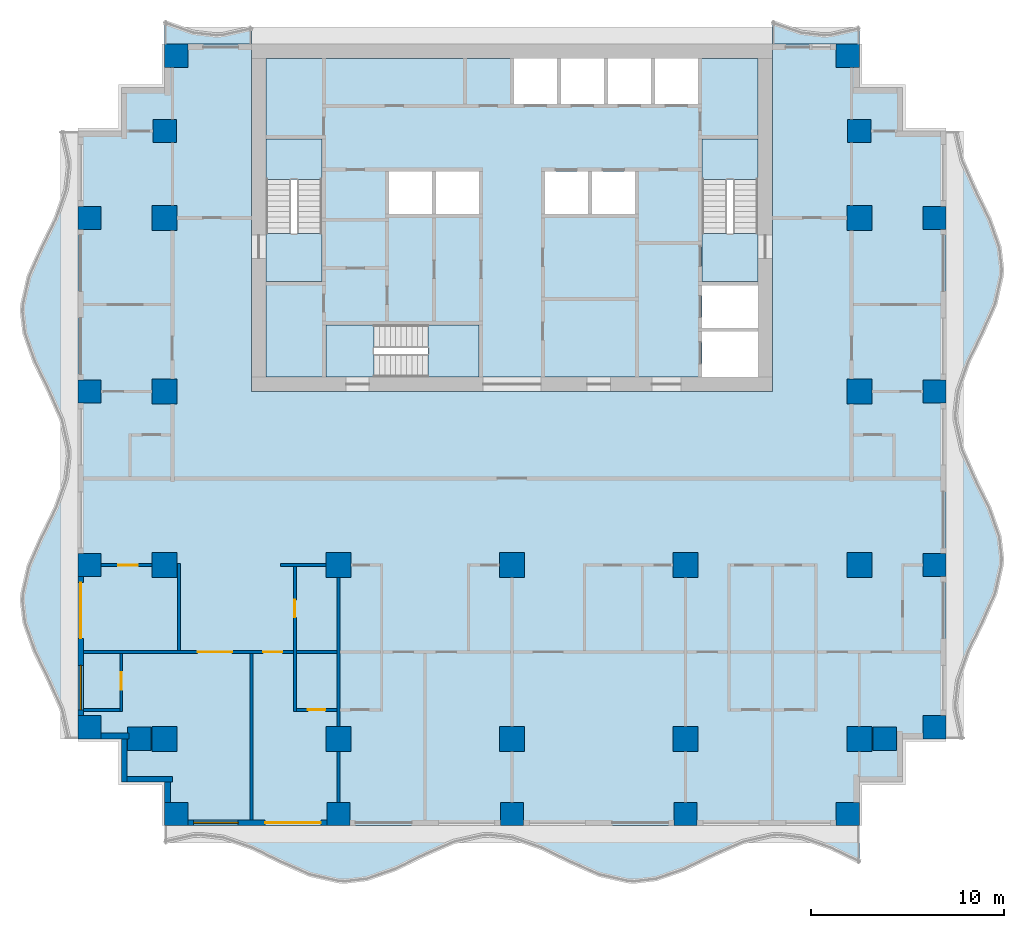
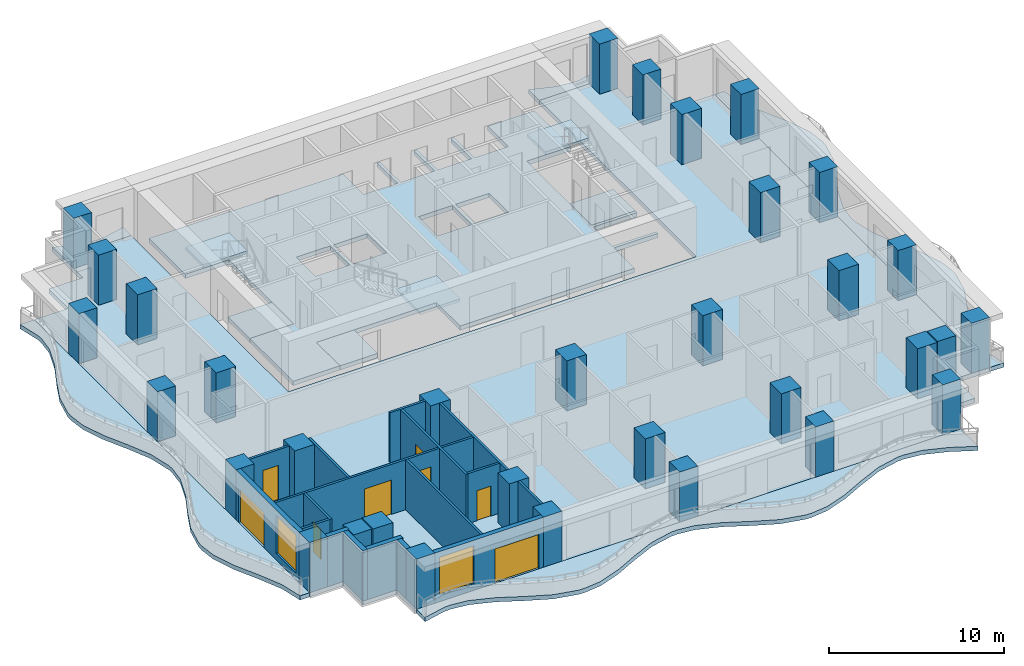
# One storey, part 1 of 10: 33 columns, 18 walls, 13 slabs, 8 doors, 2 windows, 10 openings, 3 elements without a shape of their own.
"""IFC4 building model written with IfcOpenShell, lengths in metres."""

from ifc_helpers import new_model, si_unit, direction, frame, frame_2d, origin, origin_2d, place, context, subcontext, project, spatial, polyline, rectangle, outline, extrude, material, layer, layer_set, material_profile, profile_set, type_object, element, fill, aggregate, save


model = new_model("IFC4")

# Units and contexts
model_context = context("Model", 3, precision=1e-05, world=origin(), true_north=direction((0.0, 1.0)))
body_context = subcontext(model_context, "Body", "Model", "MODEL_VIEW")
ifc_project = project(units=[si_unit("LENGTHUNIT", "METRE"), si_unit("AREAUNIT", "SQUARE_METRE"), si_unit("VOLUMEUNIT", "CUBIC_METRE"), si_unit("PLANEANGLEUNIT", "RADIAN"), si_unit("MASSUNIT", "GRAM", prefix="KILO")], contexts=[model_context])

# Site, building, storey
site_placement = place(None, origin())
site = spatial("IfcSite", under=ifc_project, at=site_placement, CompositionType="ELEMENT")
building_placement = place(site_placement, origin())
building = spatial("IfcBuilding", under=site, at=building_placement, Name="Orbiselva Terraces", CompositionType="ELEMENT")
storey_placement = place(building_placement, frame((0.0, 0.0, 132.6)))
storey = spatial("IfcBuildingStorey", under=building, at=storey_placement, Name="L33", CompositionType="ELEMENT", Elevation=132.6)

# Columns
ifc_material_1 = material(Name="Concrete C70/85", Category="concrete")
ifc_material_profile_1 = material_profile(ifc_material_1, rectangle(XDim=1.3, YDim=1.3, at=origin_2d()), Name="RC 1300x1300")
ifc_profile_set_1 = profile_set([ifc_material_profile_1], Name="Concrete C70/85")
column_type_1 = type_object("IfcColumnType", Name="COLUMN RC 1300x1300", PredefinedType="COLUMN", material=ifc_profile_set_1)
for number, where, z_axis, x_axis, name in (
    (1, (-18.0, -13.5, 0.0), (0.0, 0.0, 1.0), (1.0, 0.0, 0.0), "Column L33-01"),
    (2, (-18.0, -4.5, 0.0), (0.0, 0.0, 1.0), (1.0, 0.0, 0.0), "Column L33-03"),
    (3, (-18.0, 13.5, 0.0), (0.0, 0.0, 1.0), (1.0, 0.0, 0.0), "Column L33-04"),
    (4, (-18.0, 4.5, 0.0), (0.0, 0.0, 1.0), (1.0, 0.0, 0.0), "Column L33-06"),
    (5, (-9.0, -13.5, 0.0), (0.0, 0.0, 1.0), (1.0, 0.0, 0.0), "Column L33-13"),
    (6, (-9.0, -4.5, 0.0), (0.0, 0.0, 1.0), (1.0, 0.0, 0.0), "Column L33-15"),
    (7, (0.0, -13.5, 0.0), (0.0, 0.0, 1.0), (1.0, 0.0, 0.0), "Column L33-16"),
    (8, (0.0, -4.5, 0.0), (0.0, 0.0, 1.0), (1.0, 0.0, 0.0), "Column L33-18"),
    (9, (18.0, -13.5, 0.0), (0.0, 0.0, 1.0), (1.0, 0.0, 0.0), "Column L33-19"),
    (10, (18.0, -4.5, 0.0), (0.0, 0.0, 1.0), (1.0, 0.0, 0.0), "Column L33-21"),
    (11, (18.0, 13.5, 0.0), (0.0, 0.0, 1.0), (1.0, 0.0, 0.0), "Column L33-22"),
    (12, (18.0, 4.5, 0.0), (0.0, 0.0, 1.0), (1.0, 0.0, 0.0), "Column L33-24"),
    (13, (9.0, -13.5, 0.0), (0.0, 0.0, 1.0), (1.0, 0.0, 0.0), "Column L33-31"),
    (14, (9.0, -4.5, 0.0), (0.0, 0.0, 1.0), (1.0, 0.0, 0.0), "Column L33-33"),
):
    element("IfcColumn", number, at=place(storey_placement, frame(where, z_axis=z_axis, x_axis=x_axis)), inside=storey, type_object=column_type_1, Name=name, PredefinedType="COLUMN", context=body_context, shape_type="SweptSolid", body=[
        extrude(rectangle(XDim=1.3, YDim=1.3, at=origin_2d()), origin(), (0.0, 0.0, 1.0), 3.5),
    ])
ifc_material_2 = material(Name="Concrete C60/75", Category="concrete")
ifc_material_profile_2 = material_profile(ifc_material_2, rectangle(XDim=1.2, YDim=1.2, at=origin_2d()), Name="RC 1200x1200")
ifc_profile_set_2 = profile_set([ifc_material_profile_2], Name="Concrete C60/75")
column_type_2 = type_object("IfcColumnType", Name="PERIMETER COLUMN RC 1200x1200", PredefinedType="COLUMN", material=ifc_profile_set_2)
for number, where, z_axis, x_axis, name in (
    (15, (-17.4, -17.4, 0.0), (0.0, 0.0, 1.0), (1.0, 0.0, 0.0), "Column L33-02"),
    (16, (-17.4, 21.9, 0.0), (0.0, 0.0, 1.0), (1.0, 0.0, 0.0), "Column L33-05"),
    (17, (-21.9, -12.9, 0.0), (0.0, 0.0, 1.0), (1.0, 0.0, 0.0), "Column L33-07"),
    (18, (-19.32, -13.5, 0.0), (0.0, 0.0, 1.0), (1.0, 0.0, 0.0), "Column L33-08"),
    (19, (-21.9, -4.5, 0.0), (0.0, 0.0, 1.0), (1.0, 0.0, 0.0), "Column L33-09"),
    (20, (-21.9, 13.5, 0.0), (0.0, 0.0, 1.0), (1.0, 0.0, 0.0), "Column L33-10"),
    (21, (-18.0, 18.0, 0.0), (0.0, 0.0, 1.0), (1.0, 0.0, 0.0), "Column L33-11"),
    (22, (-21.9, 4.5, 0.0), (0.0, 0.0, 1.0), (1.0, 0.0, 0.0), "Column L33-12"),
    (23, (-9.0, -17.4, 0.0), (0.0, 0.0, 1.0), (1.0, 0.0, 0.0), "Column L33-14"),
    (24, (0.0, -17.4, 0.0), (0.0, 0.0, 1.0), (1.0, 0.0, 0.0), "Column L33-17"),
    (25, (17.4, -17.4, 0.0), (0.0, 0.0, 1.0), (1.0, 0.0, 0.0), "Column L33-20"),
    (26, (17.4, 21.9, 0.0), (0.0, 0.0, 1.0), (1.0, 0.0, 0.0), "Column L33-23"),
    (27, (21.9, -12.9, 0.0), (0.0, 0.0, 1.0), (1.0, 0.0, 0.0), "Column L33-25"),
    (28, (19.32, -13.5, 0.0), (0.0, 0.0, 1.0), (1.0, 0.0, 0.0), "Column L33-26"),
    (29, (21.9, -4.5, 0.0), (0.0, 0.0, 1.0), (1.0, 0.0, 0.0), "Column L33-27"),
    (30, (21.9, 13.5, 0.0), (0.0, 0.0, 1.0), (1.0, 0.0, 0.0), "Column L33-28"),
    (31, (18.0, 18.0, 0.0), (0.0, 0.0, 1.0), (1.0, 0.0, 0.0), "Column L33-29"),
    (32, (21.9, 4.5, 0.0), (0.0, 0.0, 1.0), (1.0, 0.0, 0.0), "Column L33-30"),
    (33, (9.0, -17.4, 0.0), (0.0, 0.0, 1.0), (1.0, 0.0, 0.0), "Column L33-32"),
):
    element("IfcColumn", number, at=place(storey_placement, frame(where, z_axis=z_axis, x_axis=x_axis)), inside=storey, type_object=column_type_2, Name=name, PredefinedType="COLUMN", context=body_context, shape_type="SweptSolid", body=[
        extrude(rectangle(XDim=1.2, YDim=1.2, at=origin_2d()), origin(), (0.0, 0.0, 1.0), 3.5),
    ])

# Slabs
ifc_material_3 = material(Name="Concrete C40/50", Category="concrete")
ifc_layer_1 = layer(ifc_material_3, 0.3)
ifc_layer_set_1 = layer_set([ifc_layer_1], Name="Concrete C40/50")
slab_type_1 = type_object("IfcSlabType", Name="CORE-SLAB-FLOOR-300", PredefinedType="FLOOR", material=ifc_layer_set_1)
slab_1_placement = place(storey_placement, frame((0.0, 0.0, -0.3)))
element("IfcSlab", 34, at=slab_1_placement, inside=storey, type_object=slab_type_1, Name="L33 S1 floor landing", PredefinedType="FLOOR", context=body_context, shape_type="SweptSolid", body=[
    extrude(outline(polyline([(-12.75, 12.7), (-9.85, 12.7), (-9.85, 10.2), (-12.75, 10.2), (-12.75, 12.7)])), origin(), (0.0, 0.0, 1.0), 0.3),
])
slab_2_placement = place(storey_placement, frame((0.0, 0.0, -0.3)))
element("IfcSlab", 35, at=slab_2_placement, inside=storey, type_object=slab_type_1, Name="L33 S2 floor landing", PredefinedType="FLOOR", context=body_context, shape_type="SweptSolid", body=[
    extrude(outline(polyline([(12.75, 12.7), (12.75, 10.2), (9.85, 10.2), (9.85, 12.7), (12.75, 12.7)])), origin(), (0.0, 0.0, 1.0), 0.3),
])
slab_3_placement = place(storey_placement, frame((0.0, 0.0, -0.3)))
element("IfcSlab", 36, at=slab_3_placement, inside=storey, type_object=slab_type_1, Name="L33 S3 floor landing", PredefinedType="FLOOR", context=body_context, shape_type="SweptSolid", body=[
    extrude(outline(polyline([(-7.15, 5.25), (-9.65, 5.25), (-9.65, 7.95), (-7.15, 7.95), (-7.15, 5.25)])), origin(), (0.0, 0.0, 1.0), 0.3),
])
slab_4_placement = place(storey_placement, frame((0.0, 0.0, -0.3)))
element("IfcSlab", 37, at=slab_4_placement, inside=storey, type_object=slab_type_1, Name="L33 core floor slab 1", PredefinedType="FLOOR", context=body_context, shape_type="SweptSolid", body=[
    extrude(outline(polyline([(-1.7, 5.25), (-1.7, 7.95), (-9.65, 7.95), (-9.65, 5.25), (-12.75, 5.25), (-12.75, 10.2), (-9.85, 10.2), (-9.85, 17.6), (-12.75, 17.6), (-12.75, 21.75), (0.1, 21.75), (0.1, 19.4), (2.3375, 19.4), (2.3375, 21.75), (2.5375, 21.75), (2.5375, 19.4), (4.775, 19.4), (4.775, 21.75), (4.975, 21.75), (4.975, 19.4), (7.2125, 19.4), (7.2125, 21.75), (7.4125, 21.75), (7.4125, 19.4), (9.65, 19.4), (9.65, 21.75), (12.75, 21.75), (12.75, 17.6), (9.85, 17.6), (9.85, 10.2), (12.75, 10.2), (12.75, 10.0), (9.85, 10.0), (9.85, 7.8), (12.75, 7.8), (12.75, 7.6), (9.85, 7.6), (9.85, 5.25), (-1.7, 5.25)]), holes=[polyline([(-4.1375, 13.7), (-4.1375, 15.9), (-6.375, 15.9), (-6.375, 13.7), (-4.1375, 13.7)]), polyline([(-1.7, 13.7), (-1.7, 15.9), (-3.9375, 15.9), (-3.9375, 13.7), (-1.7, 13.7)]), polyline([(3.9375, 15.9), (1.7, 15.9), (1.7, 13.7), (3.9375, 13.7), (3.9375, 15.9)]), polyline([(6.375, 13.7), (6.375, 15.9), (4.1375, 15.9), (4.1375, 13.7), (6.375, 13.7)])]), origin(), (0.0, 0.0, 1.0), 0.3),
])

# Stair, slab
stair_type_1 = type_object("IfcStairType", Name="CORE-STAIR-1300", PredefinedType="HALF_TURN_STAIR", material=ifc_material_3)
stair_1_placement = place(storey_placement, origin())
stair_1 = element("IfcStair", 38, at=stair_1_placement, inside=storey, type_object=stair_type_1, Name="L33 Exit Stair S1", PredefinedType="HALF_TURN_STAIR")
ifc_layer_2 = layer(ifc_material_3, 0.2)
ifc_layer_set_2 = layer_set([ifc_layer_2], Name="Concrete C40/50")
slab_type_2 = type_object("IfcSlabType", Name="CORE-STAIR-LANDING-200", PredefinedType="LANDING", material=ifc_layer_set_2)
slab_5_placement = place(storey_placement, frame((0.0, 0.0, 1.7)))
slab_5 = element("IfcSlab", 39, at=slab_5_placement, type_object=slab_type_2, Name="S1 landing 1", PredefinedType="LANDING", context=body_context, shape_type="SweptSolid", body=[
    extrude(outline(polyline([(-9.85, 15.5), (-9.85, 17.6), (-12.75, 17.6), (-12.75, 15.5), (-9.85, 15.5)])), origin(), (0.0, 0.0, 1.0), 0.2),
])
aggregate(stair_1, [slab_5])

stair_2_placement = place(storey_placement, origin())
stair_2 = element("IfcStair", 40, at=stair_2_placement, inside=storey, type_object=stair_type_1, Name="L33 Exit Stair S2", PredefinedType="HALF_TURN_STAIR")
slab_6_placement = place(storey_placement, frame((0.0, 0.0, 1.7)))
slab_6 = element("IfcSlab", 41, at=slab_6_placement, type_object=slab_type_2, Name="S2 landing 1", PredefinedType="LANDING", context=body_context, shape_type="SweptSolid", body=[
    extrude(outline(polyline([(12.75, 15.5), (12.75, 17.6), (9.85, 17.6), (9.85, 15.5), (12.75, 15.5)])), origin(), (0.0, 0.0, 1.0), 0.2),
])
aggregate(stair_2, [slab_6])

stair_type_2 = type_object("IfcStairType", Name="CORE-STAIR-1200", PredefinedType="HALF_TURN_STAIR", material=ifc_material_3)
stair_3_placement = place(storey_placement, origin())
stair_3 = element("IfcStair", 42, at=stair_3_placement, inside=storey, type_object=stair_type_2, Name="L33 Exit Stair S3", PredefinedType="HALF_TURN_STAIR")
slab_7_placement = place(storey_placement, frame((0.0, 0.0, 1.7)))
slab_7 = element("IfcSlab", 43, at=slab_7_placement, type_object=slab_type_2, Name="S3 landing 1", PredefinedType="LANDING", context=body_context, shape_type="SweptSolid", body=[
    extrude(outline(polyline([(-4.35, 5.25), (-1.7, 5.25), (-1.7, 7.95), (-4.35, 7.95), (-4.35, 5.25)])), origin(), (0.0, 0.0, 1.0), 0.2),
])
aggregate(stair_3, [slab_7])

# Slabs
ifc_material_4 = material(Name="Concrete C50/60", Category="concrete")
ifc_layer_3 = layer(ifc_material_4, 0.3)
ifc_layer_set_3 = layer_set([ifc_layer_3], Name="Concrete C50/60")
slab_type_3 = type_object("IfcSlabType", Name="ENV-BALCONY-SLAB-300", PredefinedType="FLOOR", material=ifc_layer_set_3)
slab_8_placement = place(storey_placement, frame((0.0, 0.0, -0.3)))
element("IfcSlab", 44, at=slab_8_placement, inside=storey, type_object=slab_type_3, Name="Balcony slab L33 S", PredefinedType="FLOOR", context=body_context, shape_type="SweptSolid", body=[
    extrude(outline(polyline([(-18.0, -18.951472), (-16.5, -18.614774), (-16.125, -18.6), (-15.0, -18.730792), (-13.5, -19.255211), (-12.0, -19.987721), (-10.5, -20.648528), (-9.0, -20.985226), (-8.625, -21.0), (-7.5, -20.869208), (-6.0, -20.344789), (-4.5, -19.612279), (-3.0, -18.951472), (-1.5, -18.614774), (-1.125, -18.6), (0.0, -18.730792), (1.5, -19.255211), (3.0, -19.987721), (4.5, -20.648528), (6.0, -20.985226), (6.375, -21.0), (7.5, -20.869208), (9.0, -20.344789), (10.5, -19.612279), (12.0, -18.951472), (13.5, -18.614774), (13.875, -18.6), (15.0, -18.730792), (16.5, -19.255211), (18.0, -19.987721), (18.0, -18.0), (-18.0, -18.0), (-18.0, -18.951472)])), origin(), (0.0, 0.0, 1.0), 0.3),
])
slab_9_placement = place(storey_placement, frame((0.0, 0.0, -0.3)))
element("IfcSlab", 45, at=slab_9_placement, inside=storey, type_object=slab_type_3, Name="Balcony slab L33 E", PredefinedType="FLOOR", context=body_context, shape_type="SweptSolid", body=[
    extrude(outline(polyline([(23.451472, -13.5), (23.114774, -12.0), (23.1, -11.625), (23.230792, -10.5), (23.755211, -9.0), (24.487721, -7.5), (25.148528, -6.0), (25.485226, -4.5), (25.5, -4.125), (25.369208, -3.0), (24.844789, -1.5), (24.112279, 0.0), (23.451472, 1.5), (23.114774, 3.0), (23.1, 3.375), (23.230792, 4.5), (23.755211, 6.0), (24.487721, 7.5), (25.148528, 9.0), (25.485226, 10.5), (25.5, 10.875), (25.369208, 12.0), (24.844789, 13.5), (24.112279, 15.0), (23.451472, 16.5), (23.114774, 18.0), (22.5, 18.0), (22.5, -13.5), (23.451472, -13.5)])), origin(), (0.0, 0.0, 1.0), 0.3),
])
slab_10_placement = place(storey_placement, frame((0.0, 0.0, -0.3)))
element("IfcSlab", 46, at=slab_10_placement, inside=storey, type_object=slab_type_3, Name="Balcony slab L33 NE", PredefinedType="FLOOR", context=body_context, shape_type="SweptSolid", body=[
    extrude(outline(polyline([(18.0, 23.451472), (16.5, 23.114774), (16.125, 23.1), (15.0, 23.230792), (13.5, 23.755211), (13.5, 22.5), (18.0, 22.5), (18.0, 23.451472)])), origin(), (0.0, 0.0, 1.0), 0.3),
])
slab_11_placement = place(storey_placement, frame((0.0, 0.0, -0.3)))
element("IfcSlab", 47, at=slab_11_placement, inside=storey, type_object=slab_type_3, Name="Balcony slab L33 NW", PredefinedType="FLOOR", context=body_context, shape_type="SweptSolid", body=[
    extrude(outline(polyline([(-13.5, 23.451472), (-15.0, 23.114774), (-15.375, 23.1), (-16.5, 23.230792), (-18.0, 23.755211), (-18.0, 22.5), (-13.5, 22.5), (-13.5, 23.451472)])), origin(), (0.0, 0.0, 1.0), 0.3),
])
slab_12_placement = place(storey_placement, frame((0.0, 0.0, -0.3)))
element("IfcSlab", 48, at=slab_12_placement, inside=storey, type_object=slab_type_3, Name="Balcony slab L33 W", PredefinedType="FLOOR", context=body_context, shape_type="SweptSolid", body=[
    extrude(outline(polyline([(-23.451472, 18.0), (-23.114774, 16.5), (-23.1, 16.125), (-23.230792, 15.0), (-23.755211, 13.5), (-24.487721, 12.0), (-25.148528, 10.5), (-25.485226, 9.0), (-25.5, 8.625), (-25.369208, 7.5), (-24.844789, 6.0), (-24.112279, 4.5), (-23.451472, 3.0), (-23.114774, 1.5), (-23.1, 1.125), (-23.230792, 0.0), (-23.755211, -1.5), (-24.487721, -3.0), (-25.148528, -4.5), (-25.485226, -6.0), (-25.5, -6.375), (-25.369208, -7.5), (-24.844789, -9.0), (-24.112279, -10.5), (-23.451472, -12.0), (-23.114774, -13.5), (-22.5, -13.5), (-22.5, 18.0), (-23.451472, 18.0)])), origin(), (0.0, 0.0, 1.0), 0.3),
])
ifc_layer_4 = layer(ifc_material_4, 0.3)
ifc_layer_set_4 = layer_set([ifc_layer_4], Name="Concrete C50/60")
slab_type_4 = type_object("IfcSlabType", Name="FLOOR SLAB 300", PredefinedType="FLOOR", material=ifc_layer_set_4)
slab_13_placement = place(storey_placement, frame((0.0, 0.0, -0.3)))
element("IfcSlab", 49, at=slab_13_placement, inside=storey, type_object=slab_type_4, Name="Floor slab L33", PredefinedType="FLOOR", context=body_context, shape_type="SweptSolid", body=[
    extrude(outline(polyline([(18.0, 22.5), (18.0, 20.25), (20.25, 20.25), (20.25, 18.0), (22.5, 18.0), (22.5, -13.5), (20.25, -13.5), (20.25, -15.75), (18.0, -15.75), (18.0, -18.0), (-18.0, -18.0), (-18.0, -15.75), (-20.25, -15.75), (-20.25, -13.5), (-22.5, -13.5), (-22.5, 18.0), (-20.25, 18.0), (-20.25, 20.25), (-18.0, 20.25), (-18.0, 22.5), (-13.5, 22.5), (-13.5, 4.5), (13.5, 4.5), (13.5, 22.5), (18.0, 22.5)])), origin(), (0.0, 0.0, 1.0), 0.3),
])

# Wall, openings, door, window
ifc_material_5 = material(Name="Terracotta cladding on masonry backing", Category="masonry")
ifc_layer_5 = layer(ifc_material_5, 0.3)
ifc_layer_set_5 = layer_set([ifc_layer_5], Name="Terracotta cladding on masonry backing")
wall_type_1 = type_object("IfcWallType", Name="ENV-WALL-TERRACOTTA-300", PredefinedType="SOLIDWALL", material=ifc_layer_set_5)
wall_1_placement = place(storey_placement, frame((-9.6, -17.85, 0.0), z_axis=(0.0, 0.0, 1.0), x_axis=(-1.0, 0.0, 0.0)))
wall_1 = element("IfcWall", 50, at=wall_1_placement, inside=storey, type_object=wall_type_1, Name="Facade wall L33 S", PredefinedType="SOLIDWALL", context=body_context, shape_type="SweptSolid", body=[
    extrude(rectangle(XDim=7.2, YDim=0.3, at=frame_2d((3.6, 0.0))), origin(), (0.0, 0.0, 1.0), 3.5),
])
opening_1_placement = place(wall_1_placement, frame((4.6, 0.0, 0.45)))
opening_1 = element("IfcOpeningElement", 51, at=opening_1_placement, cuts=wall_1, Name="Opening WN7", PredefinedType="OPENING", context=body_context, shape_type="SweptSolid", body=[
    extrude(rectangle(XDim=2.3, YDim=2.65, at=frame_2d((1.15, 1.325))), frame((0.0, 0.16, 0.0), z_axis=(0.0, -1.0, 0.0), x_axis=(1.0, 0.0, 0.0)), (0.0, 0.0, 1.0), 0.32),
])
opening_2_placement = place(wall_1_placement, frame((0.3, 0.0, 0.0)))
opening_2 = element("IfcOpeningElement", 52, at=opening_2_placement, cuts=wall_1, Name="Opening Z3-A-E17", PredefinedType="OPENING", context=body_context, shape_type="SweptSolid", body=[
    extrude(rectangle(XDim=2.9, YDim=2.4, at=frame_2d((1.45, 1.2))), frame((0.0, 0.16, 0.0), z_axis=(0.0, -1.0, 0.0), x_axis=(1.0, 0.0, 0.0)), (0.0, 0.0, 1.0), 0.32),
])
ifc_material_6 = material(Name="Clear low-e glazing in aluminium frame", Category="aluminium")
door_type_1 = type_object("IfcDoorType", Name="BALCONY DOOR 2900 X 2400", OperationType="DOUBLE_DOOR_SLIDING", PredefinedType="DOOR", material=ifc_material_6)
door_1_placement = place(opening_2_placement, origin())
door_1 = element("IfcDoor", 53, at=door_1_placement, inside=storey, type_object=door_type_1, Name="Z3-A-E17", OperationType="SINGLE_SWING_LEFT", OverallHeight=2.4, OverallWidth=2.9, PredefinedType="DOOR", context=body_context, shape_type="SweptSolid", body=[
    extrude(rectangle(XDim=2.9, YDim=2.4, at=frame_2d((1.45, 1.2))), frame((0.0, 0.025, 0.0), z_axis=(0.0, -1.0, 0.0), x_axis=(1.0, 0.0, 0.0)), (0.0, 0.0, 1.0), 0.05),
])
fill(opening_2, door_1)
window_type = type_object("IfcWindowType", Name="WINDOW 2300 X 2650 S450", PartitioningType="TRIPLE_PANEL_VERTICAL", PredefinedType="WINDOW", material=ifc_material_6)
window_1_placement = place(opening_1_placement, origin())
window_1 = element("IfcWindow", 54, at=window_1_placement, inside=storey, type_object=window_type, Name="Window L33 S", OverallHeight=2.65, OverallWidth=2.3, PartitioningType="SINGLE_PANEL", PredefinedType="WINDOW", context=body_context, shape_type="SweptSolid", body=[
    extrude(rectangle(XDim=2.3, YDim=2.65, at=frame_2d((1.15, 1.325))), frame((0.0, 0.03, 0.0), z_axis=(0.0, -1.0, 0.0), x_axis=(1.0, 0.0, 0.0)), (0.0, 0.0, 1.0), 0.06),
])
fill(opening_1, window_1)

wall_2_placement = place(storey_placement, frame((-22.35, -12.3, 0.0), z_axis=(0.0, 0.0, 1.0), x_axis=(0.0, 1.0, 0.0)))
wall_2 = element("IfcWall", 55, at=wall_2_placement, inside=storey, type_object=wall_type_1, Name="Facade wall L33 W", PredefinedType="SOLIDWALL", context=body_context, shape_type="SweptSolid", body=[
    extrude(rectangle(XDim=7.2, YDim=0.3, at=frame_2d((3.6, 0.0))), origin(), (0.0, 0.0, 1.0), 3.5),
])
opening_3_placement = place(wall_2_placement, frame((4.0, 0.0, 0.0)))
opening_3 = element("IfcOpeningElement", 56, at=opening_3_placement, cuts=wall_2, Name="Opening Z3-A-E16", PredefinedType="OPENING", context=body_context, shape_type="SweptSolid", body=[
    extrude(rectangle(XDim=2.9, YDim=2.4, at=frame_2d((1.45, 1.2))), frame((0.0, 0.16, 0.0), z_axis=(0.0, -1.0, 0.0), x_axis=(1.0, 0.0, 0.0)), (0.0, 0.0, 1.0), 0.32),
])
opening_4_placement = place(wall_2_placement, frame((0.3, 0.0, 0.45)))
opening_4 = element("IfcOpeningElement", 57, at=opening_4_placement, cuts=wall_2, Name="Opening WN7", PredefinedType="OPENING", context=body_context, shape_type="SweptSolid", body=[
    extrude(rectangle(XDim=2.3, YDim=2.65, at=frame_2d((1.15, 1.325))), frame((0.0, 0.16, 0.0), z_axis=(0.0, -1.0, 0.0), x_axis=(1.0, 0.0, 0.0)), (0.0, 0.0, 1.0), 0.32),
])
door_2_placement = place(opening_3_placement, origin())
door_2 = element("IfcDoor", 58, at=door_2_placement, inside=storey, type_object=door_type_1, Name="Z3-A-E16", OperationType="SINGLE_SWING_LEFT", OverallHeight=2.4, OverallWidth=2.9, PredefinedType="DOOR", context=body_context, shape_type="SweptSolid", body=[
    extrude(rectangle(XDim=2.9, YDim=2.4, at=frame_2d((1.45, 1.2))), frame((0.0, 0.025, 0.0), z_axis=(0.0, -1.0, 0.0), x_axis=(1.0, 0.0, 0.0)), (0.0, 0.0, 1.0), 0.05),
])
fill(opening_3, door_2)
window_2_placement = place(opening_4_placement, origin())
window_2 = element("IfcWindow", 59, at=window_2_placement, inside=storey, type_object=window_type, Name="Window L33 W", OverallHeight=2.65, OverallWidth=2.3, PartitioningType="SINGLE_PANEL", PredefinedType="WINDOW", context=body_context, shape_type="SweptSolid", body=[
    extrude(rectangle(XDim=2.3, YDim=2.65, at=frame_2d((1.15, 1.325))), frame((0.0, 0.03, 0.0), z_axis=(0.0, -1.0, 0.0), x_axis=(1.0, 0.0, 0.0)), (0.0, 0.0, 1.0), 0.06),
])
fill(opening_4, window_2)

# Walls
wall_3_placement = place(storey_placement, frame((-19.85, -13.35, 0.0), z_axis=(0.0, 0.0, 1.0), x_axis=(-1.0, 0.0, 0.0)))
element("IfcWall", 60, at=wall_3_placement, inside=storey, type_object=wall_type_1, Name="Facade wall L33 STEP", PredefinedType="SOLIDWALL", context=body_context, shape_type="SweptSolid", body=[
    extrude(rectangle(XDim=1.45, YDim=0.3, at=frame_2d((0.725, 0.0))), origin(), (0.0, 0.0, 1.0), 3.5),
])
wall_4_placement = place(storey_placement, frame((-20.1, -15.75, 0.0), z_axis=(0.0, 0.0, 1.0), x_axis=(0.0, 1.0, 0.0)))
element("IfcWall", 61, at=wall_4_placement, inside=storey, type_object=wall_type_1, Name="Facade wall L33 STEP", PredefinedType="SOLIDWALL", context=body_context, shape_type="SweptSolid", body=[
    extrude(rectangle(XDim=2.25, YDim=0.3, at=frame_2d((1.125, 0.0))), origin(), (0.0, 0.0, 1.0), 3.5),
])
wall_5_placement = place(storey_placement, frame((-17.6, -15.6, 0.0), z_axis=(0.0, 0.0, 1.0), x_axis=(-1.0, 0.0, 0.0)))
element("IfcWall", 62, at=wall_5_placement, inside=storey, type_object=wall_type_1, Name="Facade wall L33 STEP", PredefinedType="SOLIDWALL", context=body_context, shape_type="SweptSolid", body=[
    extrude(rectangle(XDim=2.35, YDim=0.3, at=frame_2d((1.175, 0.0))), origin(), (0.0, 0.0, 1.0), 3.5),
])
wall_6_placement = place(storey_placement, frame((-17.85, -16.8, 0.0), z_axis=(0.0, 0.0, 1.0), x_axis=(0.0, 1.0, 0.0)))
element("IfcWall", 63, at=wall_6_placement, inside=storey, type_object=wall_type_1, Name="Facade wall L33 STEP", PredefinedType="SOLIDWALL", context=body_context, shape_type="SweptSolid", body=[
    extrude(rectangle(XDim=1.05, YDim=0.3, at=frame_2d((0.525, 0.0))), origin(), (0.0, 0.0, 1.0), 3.5),
])
ifc_material_7 = material(Name="Plasterboard on steel stud partition", Category="steel")
ifc_layer_6 = layer(ifc_material_7, 0.15)
ifc_layer_set_6 = layer_set([ifc_layer_6], Name="Plasterboard on steel stud partition")
wall_type_2 = type_object("IfcWallType", Name="UNIT-PARTITION-150", PredefinedType="PARTITIONING", material=ifc_layer_set_6)
wall_7_placement = place(storey_placement, frame((-22.2, -12.0, 0.0), z_axis=(0.0, 0.0, 1.0), x_axis=(1.0, 0.0, 0.0)))
element("IfcWall", 64, at=wall_7_placement, inside=storey, type_object=wall_type_2, Name="PARTITION L33-001", PredefinedType="PARTITIONING", context=body_context, shape_type="SweptSolid", body=[
    extrude(rectangle(XDim=1.875, YDim=0.15, at=frame_2d((0.9375, 0.0))), origin(), (0.0, 0.0, 1.0), 3.5),
])

# Wall, opening, door
wall_8_placement = place(storey_placement, frame((-11.175, -12.0, 0.0), z_axis=(0.0, 0.0, 1.0), x_axis=(1.0, 0.0, 0.0)))
wall_8 = element("IfcWall", 65, at=wall_8_placement, inside=storey, type_object=wall_type_2, Name="PARTITION L33-002", PredefinedType="PARTITIONING", context=body_context, shape_type="SweptSolid", body=[
    extrude(rectangle(XDim=2.1, YDim=0.15, at=frame_2d((1.05, 0.0))), origin(), (0.0, 0.0, 1.0), 3.5),
])
opening_5_placement = place(wall_8_placement, frame((0.6, 0.0, 0.0)))
opening_5 = element("IfcOpeningElement", 66, at=opening_5_placement, cuts=wall_8, Name="Opening Z3-A-26", PredefinedType="OPENING", context=body_context, shape_type="SweptSolid", body=[
    extrude(rectangle(XDim=0.9, YDim=2.1, at=frame_2d((0.45, 1.05))), frame((0.0, 0.085, 0.0), z_axis=(0.0, -1.0, 0.0), x_axis=(1.0, 0.0, 0.0)), (0.0, 0.0, 1.0), 0.17),
])
ifc_material_8 = material(Name="Painted timber door leaf", Category="wood")
door_type_2 = type_object("IfcDoorType", Name="BATH DOOR 900", OperationType="NOTDEFINED", PredefinedType="DOOR", material=ifc_material_8)
door_3_placement = place(opening_5_placement, origin())
door_3 = element("IfcDoor", 67, at=door_3_placement, inside=storey, type_object=door_type_2, Name="Z3-A-26", OperationType="SINGLE_SWING_LEFT", OverallHeight=2.1, OverallWidth=0.9, PredefinedType="DOOR", context=body_context, shape_type="SweptSolid", body=[
    extrude(rectangle(XDim=0.9, YDim=2.1, at=frame_2d((0.45, 1.05))), frame((0.0, 0.025, 0.0), z_axis=(0.0, -1.0, 0.0), x_axis=(1.0, 0.0, 0.0)), (0.0, 0.0, 1.0), 0.05),
])
fill(opening_5, door_3)

# Wall, openings, doors
wall_9_placement = place(storey_placement, frame((-11.325, -9.0, 0.0), z_axis=(0.0, 0.0, 1.0), x_axis=(-1.0, 0.0, 0.0)))
wall_9 = element("IfcWall", 68, at=wall_9_placement, inside=storey, type_object=wall_type_2, Name="PARTITION L33-006", PredefinedType="PARTITIONING", context=body_context, shape_type="SweptSolid", body=[
    extrude(rectangle(XDim=10.875, YDim=0.15, at=frame_2d((5.4375, 0.0))), origin(), (0.0, 0.0, 1.0), 3.5),
])
opening_6_placement = place(wall_9_placement, frame((3.175, 0.0, 0.0)))
opening_6 = element("IfcOpeningElement", 69, at=opening_6_placement, cuts=wall_9, Name="Opening Z3-A-23", PredefinedType="OPENING", context=body_context, shape_type="SweptSolid", body=[
    extrude(rectangle(XDim=1.8, YDim=2.4, at=frame_2d((0.9, 1.2))), frame((0.0, 0.085, 0.0), z_axis=(0.0, -1.0, 0.0), x_axis=(1.0, 0.0, 0.0)), (0.0, 0.0, 1.0), 0.17),
])
opening_7_placement = place(wall_9_placement, frame((0.575, 0.0, 0.0)))
opening_7 = element("IfcOpeningElement", 70, at=opening_7_placement, cuts=wall_9, Name="Opening Z3-A-25", PredefinedType="OPENING", context=body_context, shape_type="SweptSolid", body=[
    extrude(rectangle(XDim=1.0, YDim=2.4, at=frame_2d((0.5, 1.2))), frame((0.0, 0.085, 0.0), z_axis=(0.0, -1.0, 0.0), x_axis=(1.0, 0.0, 0.0)), (0.0, 0.0, 1.0), 0.17),
])
door_type_3 = type_object("IfcDoorType", Name="DOUBLE DOOR 1800", OperationType="NOTDEFINED", PredefinedType="DOOR", material=ifc_material_8)
door_4_placement = place(opening_6_placement, origin())
door_4 = element("IfcDoor", 71, at=door_4_placement, inside=storey, type_object=door_type_3, Name="Z3-A-23", OperationType="DOUBLE_DOOR_SINGLE_SWING", OverallHeight=2.4, OverallWidth=1.8, PredefinedType="DOOR", context=body_context, shape_type="SweptSolid", body=[
    extrude(rectangle(XDim=1.8, YDim=2.4, at=frame_2d((0.9, 1.2))), frame((0.0, 0.025, 0.0), z_axis=(0.0, -1.0, 0.0), x_axis=(1.0, 0.0, 0.0)), (0.0, 0.0, 1.0), 0.05),
])
fill(opening_6, door_4)
door_type_4 = type_object("IfcDoorType", Name="ROOM DOOR 1000", OperationType="NOTDEFINED", PredefinedType="DOOR", material=ifc_material_8)
door_5_placement = place(opening_7_placement, origin())
door_5 = element("IfcDoor", 72, at=door_5_placement, inside=storey, type_object=door_type_4, Name="Z3-A-25", OperationType="SINGLE_SWING_LEFT", OverallHeight=2.4, OverallWidth=1.0, PredefinedType="DOOR", context=body_context, shape_type="SweptSolid", body=[
    extrude(rectangle(XDim=1.0, YDim=2.4, at=frame_2d((0.5, 1.2))), frame((0.0, 0.025, 0.0), z_axis=(0.0, -1.0, 0.0), x_axis=(1.0, 0.0, 0.0)), (0.0, 0.0, 1.0), 0.05),
])
fill(opening_7, door_5)

# Wall
wall_10_placement = place(storey_placement, frame((-11.175, -9.0, 0.0), z_axis=(0.0, 0.0, 1.0), x_axis=(1.0, 0.0, 0.0)))
element("IfcWall", 73, at=wall_10_placement, inside=storey, type_object=wall_type_2, Name="PARTITION L33-007", PredefinedType="PARTITIONING", context=body_context, shape_type="SweptSolid", body=[
    extrude(rectangle(XDim=2.1, YDim=0.15, at=frame_2d((1.05, 0.0))), origin(), (0.0, 0.0, 1.0), 3.5),
])

# Wall, opening, door
wall_11_placement = place(storey_placement, frame((-18.65, -4.5, 0.0), z_axis=(0.0, 0.0, 1.0), x_axis=(-1.0, 0.0, 0.0)))
wall_11 = element("IfcWall", 74, at=wall_11_placement, inside=storey, type_object=wall_type_2, Name="PARTITION L33-015", PredefinedType="PARTITIONING", context=body_context, shape_type="SweptSolid", body=[
    extrude(rectangle(XDim=2.65, YDim=0.15, at=frame_2d((1.325, 0.0))), origin(), (0.0, 0.0, 1.0), 3.5),
])
opening_8_placement = place(wall_11_placement, frame((0.75, 0.0, 0.0)))
opening_8 = element("IfcOpeningElement", 75, at=opening_8_placement, cuts=wall_11, Name="Opening Z3-A-14", PredefinedType="OPENING", context=body_context, shape_type="SweptSolid", body=[
    extrude(rectangle(XDim=1.0, YDim=2.4, at=frame_2d((0.5, 1.2))), frame((0.0, 0.085, 0.0), z_axis=(0.0, -1.0, 0.0), x_axis=(1.0, 0.0, 0.0)), (0.0, 0.0, 1.0), 0.17),
])
door_6_placement = place(opening_8_placement, origin())
door_6 = element("IfcDoor", 76, at=door_6_placement, inside=storey, type_object=door_type_4, Name="Z3-A-14", OperationType="SINGLE_SWING_LEFT", OverallHeight=2.4, OverallWidth=1.0, PredefinedType="DOOR", context=body_context, shape_type="SweptSolid", body=[
    extrude(rectangle(XDim=1.0, YDim=2.4, at=frame_2d((0.5, 1.2))), frame((0.0, 0.025, 0.0), z_axis=(0.0, -1.0, 0.0), x_axis=(1.0, 0.0, 0.0)), (0.0, 0.0, 1.0), 0.05),
])
fill(opening_8, door_6)

# Wall
wall_12_placement = place(storey_placement, frame((-12.0, -4.5, 0.0), z_axis=(0.0, 0.0, 1.0), x_axis=(1.0, 0.0, 0.0)))
element("IfcWall", 77, at=wall_12_placement, inside=storey, type_object=wall_type_2, Name="PARTITION L33-016", PredefinedType="PARTITIONING", context=body_context, shape_type="SweptSolid", body=[
    extrude(rectangle(XDim=2.35, YDim=0.15, at=frame_2d((1.175, 0.0))), origin(), (0.0, 0.0, 1.0), 3.5),
])

# Wall, opening, door
wall_13_placement = place(storey_placement, frame((-20.25, -12.075, 0.0), z_axis=(0.0, 0.0, 1.0), x_axis=(0.0, 1.0, 0.0)))
wall_13 = element("IfcWall", 78, at=wall_13_placement, inside=storey, type_object=wall_type_2, Name="PARTITION L33-035", PredefinedType="PARTITIONING", context=body_context, shape_type="SweptSolid", body=[
    extrude(rectangle(XDim=3.0, YDim=0.15, at=frame_2d((1.5, 0.0))), origin(), (0.0, 0.0, 1.0), 3.5),
])
opening_9_placement = place(wall_13_placement, frame((1.125, 0.0, 0.0)))
opening_9 = element("IfcOpeningElement", 79, at=opening_9_placement, cuts=wall_13, Name="Opening Z3-A-24", PredefinedType="OPENING", context=body_context, shape_type="SweptSolid", body=[
    extrude(rectangle(XDim=0.9, YDim=2.1, at=frame_2d((0.45, 1.05))), frame((0.0, 0.085, 0.0), z_axis=(0.0, -1.0, 0.0), x_axis=(1.0, 0.0, 0.0)), (0.0, 0.0, 1.0), 0.17),
])
door_7_placement = place(opening_9_placement, origin())
door_7 = element("IfcDoor", 80, at=door_7_placement, inside=storey, type_object=door_type_2, Name="Z3-A-24", OperationType="SINGLE_SWING_RIGHT", OverallHeight=2.1, OverallWidth=0.9, PredefinedType="DOOR", context=body_context, shape_type="SweptSolid", body=[
    extrude(rectangle(XDim=0.9, YDim=2.1, at=frame_2d((0.45, 1.05))), frame((0.0, 0.025, 0.0), z_axis=(0.0, -1.0, 0.0), x_axis=(1.0, 0.0, 0.0)), (0.0, 0.0, 1.0), 0.05),
])
fill(opening_9, door_7)

# Walls
wall_14_placement = place(storey_placement, frame((-17.25, -8.925, 0.0), z_axis=(0.0, 0.0, 1.0), x_axis=(0.0, 1.0, 0.0)))
element("IfcWall", 81, at=wall_14_placement, inside=storey, type_object=wall_type_2, Name="PARTITION L33-041", PredefinedType="PARTITIONING", context=body_context, shape_type="SweptSolid", body=[
    extrude(rectangle(XDim=4.5, YDim=0.15, at=frame_2d((2.25, 0.0))), origin(), (0.0, 0.0, 1.0), 3.5),
])
wall_15_placement = place(storey_placement, frame((-13.5, -17.7, 0.0), z_axis=(0.0, 0.0, 1.0), x_axis=(0.0, 1.0, 0.0)))
element("IfcWall", 82, at=wall_15_placement, inside=storey, type_object=wall_type_2, Name="PARTITION L33-042", PredefinedType="PARTITIONING", context=body_context, shape_type="SweptSolid", body=[
    extrude(rectangle(XDim=8.625, YDim=0.15, at=frame_2d((4.3125, 0.0))), origin(), (0.0, 0.0, 1.0), 3.5),
])

# Wall, opening, door
wall_16_placement = place(storey_placement, frame((-11.25, -4.575, 0.0), z_axis=(0.0, 0.0, 1.0), x_axis=(0.0, -1.0, 0.0)))
wall_16 = element("IfcWall", 83, at=wall_16_placement, inside=storey, type_object=wall_type_2, Name="PARTITION L33-043", PredefinedType="PARTITIONING", context=body_context, shape_type="SweptSolid", body=[
    extrude(rectangle(XDim=7.5, YDim=0.15, at=frame_2d((3.75, 0.0))), origin(), (0.0, 0.0, 1.0), 3.5),
])
opening_10_placement = place(wall_16_placement, frame((1.725, 0.0, 0.0)))
opening_10 = element("IfcOpeningElement", 84, at=opening_10_placement, cuts=wall_16, Name="Opening Z3-A-15", PredefinedType="OPENING", context=body_context, shape_type="SweptSolid", body=[
    extrude(rectangle(XDim=0.9, YDim=2.1, at=frame_2d((0.45, 1.05))), frame((0.0, 0.085, 0.0), z_axis=(0.0, -1.0, 0.0), x_axis=(1.0, 0.0, 0.0)), (0.0, 0.0, 1.0), 0.17),
])
door_8_placement = place(opening_10_placement, origin())
door_8 = element("IfcDoor", 85, at=door_8_placement, inside=storey, type_object=door_type_2, Name="Z3-A-15", OperationType="SINGLE_SWING_LEFT", OverallHeight=2.1, OverallWidth=0.9, PredefinedType="DOOR", context=body_context, shape_type="SweptSolid", body=[
    extrude(rectangle(XDim=0.9, YDim=2.1, at=frame_2d((0.45, 1.05))), frame((0.0, 0.025, 0.0), z_axis=(0.0, -1.0, 0.0), x_axis=(1.0, 0.0, 0.0)), (0.0, 0.0, 1.0), 0.05),
])
fill(opening_10, door_8)

# Walls
wall_17_placement = place(storey_placement, frame((-9.0, -16.8, 0.0), z_axis=(0.0, 0.0, 1.0), x_axis=(0.0, 1.0, 0.0)))
element("IfcWall", 86, at=wall_17_placement, inside=storey, type_object=wall_type_2, Name="PARTITION L33-044", PredefinedType="PARTITIONING", context=body_context, shape_type="SweptSolid", body=[
    extrude(rectangle(XDim=2.65, YDim=0.15, at=frame_2d((1.325, 0.0))), origin(), (0.0, 0.0, 1.0), 3.5),
])
wall_18_placement = place(storey_placement, frame((-9.0, -12.85, 0.0), z_axis=(0.0, 0.0, 1.0), x_axis=(0.0, 1.0, 0.0)))
element("IfcWall", 87, at=wall_18_placement, inside=storey, type_object=wall_type_2, Name="PARTITION L33-045", PredefinedType="PARTITIONING", context=body_context, shape_type="SweptSolid", body=[
    extrude(rectangle(XDim=7.7, YDim=0.15, at=frame_2d((3.85, 0.0))), origin(), (0.0, 0.0, 1.0), 3.5),
])

save(model, "model.ifc")
